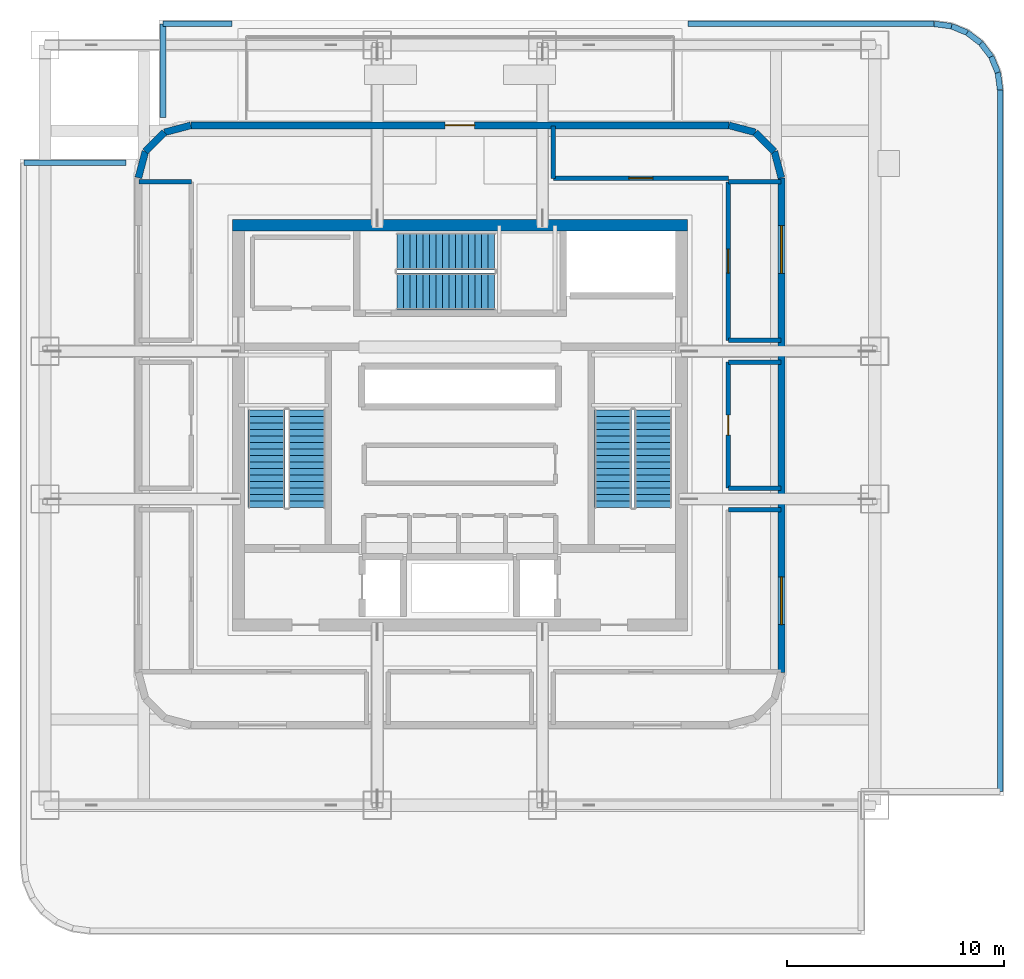
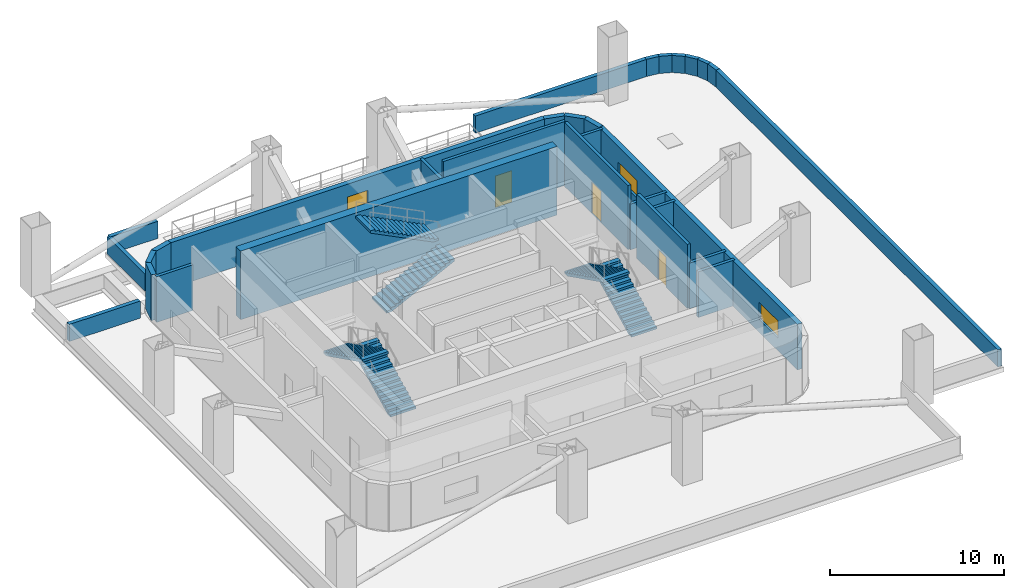
# One storey, part 7 of 11: 30 walls, 6 stair flights, 4 doors, 2 windows, 6 openings, 3 elements without a shape of their own.
"""IFC4 building model written with IfcOpenShell, lengths in metres."""

import ifcopenshell
import ifcopenshell.guid

model = None  # the IFC model being written
_history = None  # IfcOwnerHistory: only IFC2X3 demands one
_inside = {}  # id of a spatial element -> (the spatial element, [elements in it])
_under = {}  # id of a project, library or spatial element -> (it, [spatial elements below it])
_declared = {}  # id of a project -> (the project, [libraries it declares])
_typed = {}  # id of a type object -> (the type object, [elements of that type])
_made_of = {}  # id of a material, layer set ... -> (it, [elements and type objects made of it])


def new_model(schema):
    """Start an empty IFC model of exactly this schema.

    Asked for "IFC4X3", IfcOpenShell would pick the latest addendum, in which some entities
    have other attributes; the version numbers below select the first issue.
    IFC2X3 requires an IfcOwnerHistory on every rooted entity: one is made here for all.
    """
    global model, _history
    if schema == "IFC4X3":
        model = ifcopenshell.file(schema_version=(4, 3, 0, 0))
    else:
        model = ifcopenshell.file(schema=schema)
    _inside.clear()
    _under.clear()
    _declared.clear()
    _typed.clear()
    _made_of.clear()
    _history = None
    if model.schema == "IFC2X3":
        org = make("IfcOrganization", Name="unknown")
        user = make(
            "IfcPersonAndOrganization",
            ThePerson=make("IfcPerson", FamilyName="unknown"),
            TheOrganization=org,
        )
        app = make(
            "IfcApplication",
            ApplicationDeveloper=org,
            Version="unknown",
            ApplicationFullName="unknown",
            ApplicationIdentifier="unknown",
        )
        _history = make(
            "IfcOwnerHistory",
            OwningUser=user,
            OwningApplication=app,
            ChangeAction="ADDED",
            CreationDate=0,
        )
    return model


def make(cls, **values):
    """One entity of the class cls with the attributes given. An attribute that is None is left unset."""
    return model.create_entity(
        cls, **{name: value for name, value in values.items() if value is not None}
    )


def rooted(cls, **values):
    """An entity with a GlobalId (a new one), such as an element, a storey or a relation."""
    return make(cls, GlobalId=ifcopenshell.guid.new(), OwnerHistory=_history, **values)


def si_unit(unit_type, name, prefix=None):
    """IfcSIUnit, for example si_unit("LENGTHUNIT", "METRE", prefix="MILLI")."""
    return make("IfcSIUnit", UnitType=unit_type, Prefix=prefix, Name=name)


def assignment(units):
    """IfcUnitAssignment: the units of a project."""
    return None if units is None else make("IfcUnitAssignment", Units=units)


def point(xyz):
    """IfcCartesianPoint."""
    return None if xyz is None else make("IfcCartesianPoint", Coordinates=xyz)


def direction(xyz):
    """IfcDirection."""
    return None if xyz is None else make("IfcDirection", DirectionRatios=xyz)


def frame(location, z_axis=None, x_axis=None):
    """IfcAxis2Placement3D, a coordinate frame: its origin and axes. An axis left out is left unset."""
    return make(
        "IfcAxis2Placement3D",
        Location=point(location),
        Axis=direction(z_axis),
        RefDirection=direction(x_axis),
    )


def frame_2d(location, x_axis=None):
    """IfcAxis2Placement2D, a coordinate frame in the plane: its origin and x axis."""
    return make(
        "IfcAxis2Placement2D", Location=point(location), RefDirection=direction(x_axis)
    )


def origin():
    """The frame at (0, 0, 0) with its axes left unset."""
    return frame((0.0, 0.0, 0.0))


def place(relative_to, where):
    """IfcLocalPlacement: puts the frame where relative to a parent placement (None: the world)."""
    return make(
        "IfcLocalPlacement", PlacementRelTo=relative_to, RelativePlacement=where
    )


def context(
    kind, dimensions, precision=None, world=None, true_north=None, identifier=None
):
    """IfcGeometricRepresentationContext, for example the 3D "Model" context."""
    return make(
        "IfcGeometricRepresentationContext",
        ContextIdentifier=identifier,
        ContextType=kind,
        CoordinateSpaceDimension=dimensions,
        Precision=precision,
        WorldCoordinateSystem=world,
        TrueNorth=true_north,
    )


def subcontext(parent, identifier, kind, view, scale=None):
    """IfcGeometricRepresentationSubContext, for example "Body" below "Model"."""
    return make(
        "IfcGeometricRepresentationSubContext",
        ContextIdentifier=identifier,
        ContextType=kind,
        ParentContext=parent,
        TargetScale=scale,
        TargetView=view,
    )


def project(units=None, contexts=None):
    """IfcProject with its units and contexts."""
    return rooted(
        "IfcProject",
        Name="project",
        RepresentationContexts=contexts,
        UnitsInContext=assignment(units),
    )


def spatial(cls, under=None, at=None, **own):
    """A site, building, storey or space (cls), placed at a placement, below another one or the project."""
    s = rooted(cls, ObjectPlacement=at, **own)
    if under is not None:
        _under.setdefault(under.id(), (under, []))[1].append(s)
    return s


def polyline(points):
    """IfcPolyline through the points."""
    return make("IfcPolyline", Points=[point(p) for p in points])


def profile(cls, at=None, kind="AREA", **sizes):
    """A parametric profile (cls). Its sizes go by their IFC names, for example OverallWidth=200.0."""
    return make(cls, ProfileType=kind, Position=at, **sizes)


def rectangle(**sizes):
    """IfcRectangleProfileDef."""
    return profile("IfcRectangleProfileDef", **sizes)


def outline(outer, holes=None, kind="AREA"):
    """IfcArbitraryClosedProfileDef: a profile drawn as a closed curve; with holes, ...WithVoids."""
    if holes is None:
        return make("IfcArbitraryClosedProfileDef", ProfileType=kind, OuterCurve=outer)
    return make(
        "IfcArbitraryProfileDefWithVoids",
        ProfileType=kind,
        OuterCurve=outer,
        InnerCurves=holes,
    )


def extrude(swept, where, along, depth):
    """IfcExtrudedAreaSolid: the profile swept, set in the frame where, extruded along a direction by depth."""
    return make(
        "IfcExtrudedAreaSolid",
        SweptArea=swept,
        Position=where,
        ExtrudedDirection=direction(along),
        Depth=depth,
    )


def shape(context_of_items, identifier, shape_type, items):
    """IfcShapeRepresentation: the items that make up one representation, for example the "Body"."""
    return make(
        "IfcShapeRepresentation",
        ContextOfItems=context_of_items,
        RepresentationIdentifier=identifier,
        RepresentationType=shape_type,
        Items=items,
    )


def material(Name=None, Category=None):
    """IfcMaterial."""
    return make("IfcMaterial", Name=Name, Category=Category)


def layer(
    of_material, thickness, ventilated=None, Name=None, Category=None, Priority=None
):
    """IfcMaterialLayer: one layer of a wall or slab, of a material (None: an air gap)."""
    return make(
        "IfcMaterialLayer",
        Material=of_material,
        LayerThickness=thickness,
        IsVentilated=ventilated,
        Name=Name,
        Category=Category,
        Priority=Priority,
    )


def layer_set(layers, Name=None):
    """IfcMaterialLayerSet."""
    return make("IfcMaterialLayerSet", MaterialLayers=layers, LayerSetName=Name)


def made_of(thing, what):
    """Note that an element or type object is made of a material, layer set ...; save() writes the relation."""
    if what is not None:
        _made_of.setdefault(what.id(), (what, []))[1].append(thing)
    return thing


def type_object(cls, material=None, **own):
    """A type object (cls), such as IfcWallType, which elements share."""
    return made_of(rooted(cls, **own), material)


def element(
    cls,
    number,
    at=None,
    inside=None,
    cuts=None,
    type_object=None,
    material=None,
    context=None,
    identifier="Body",
    shape_type=None,
    held_by="IfcProductDefinitionShape",
    body=None,
    shapes=None,
    **own,
):
    """One element of the class cls, such as IfcWall. Its Tag is "e" and its number.

    at: its placement. inside: the storey or other place that contains it. cuts: it is an
    opening in that element (IfcRelVoidsElement). A single representation is given by context,
    identifier, shape_type and body (its items); several are given by shapes. held_by: the class
    of the entity that holds the representations. save() writes the other relations.
    """
    e = rooted(cls, Tag="e%d" % number, ObjectPlacement=at, **own)
    if body is not None:
        shapes = [shape(context, identifier, shape_type, body)]
    if shapes is not None:
        e.Representation = make(held_by, Representations=shapes)
    if inside is not None:
        _inside.setdefault(inside.id(), (inside, []))[1].append(e)
    if cuts is not None:
        rooted(
            "IfcRelVoidsElement", RelatingBuildingElement=cuts, RelatedOpeningElement=e
        )
    if type_object is not None:
        _typed.setdefault(type_object.id(), (type_object, []))[1].append(e)
    return made_of(e, material)


def fill(opening, filler):
    """IfcRelFillsElement: the door or window that sits in an opening."""
    return rooted(
        "IfcRelFillsElement",
        RelatingOpeningElement=opening,
        RelatedBuildingElement=filler,
    )


def aggregate(whole, parts):
    """IfcRelAggregates: a whole, such as a stair, and the parts it consists of."""
    return rooted("IfcRelAggregates", RelatingObject=whole, RelatedObjects=parts)


def save(model, path):
    """Write the relations noted so far, then the file.

    IfcRelAggregates (storeys below a building ...), IfcRelContainedInSpatialStructure (elements
    in a storey), IfcRelDefinesByType, IfcRelAssociatesMaterial and IfcRelDeclares: one each for
    every whole, place, type object, material and project.
    """
    for whole, parts in _under.values():
        aggregate(whole, parts)
    for where, things in _inside.values():
        rooted(
            "IfcRelContainedInSpatialStructure",
            RelatedElements=things,
            RelatingStructure=where,
        )
    for kind, things in _typed.values():
        rooted("IfcRelDefinesByType", RelatedObjects=things, RelatingType=kind)
    for what, things in _made_of.values():
        rooted("IfcRelAssociatesMaterial", RelatedObjects=things, RelatingMaterial=what)
    for by, libraries in _declared.values():
        rooted("IfcRelDeclares", RelatingContext=by, RelatedDefinitions=libraries)
    model.write(path)


model = new_model("IFC4")

# Units and contexts
model_context = context("Model", 3, precision=1e-05, world=origin(), true_north=direction((0.0, 1.0)))
body_context = subcontext(model_context, "Body", "Model", "MODEL_VIEW")
ifc_project = project(units=[si_unit("LENGTHUNIT", "METRE"), si_unit("AREAUNIT", "SQUARE_METRE"), si_unit("VOLUMEUNIT", "CUBIC_METRE"), si_unit("PLANEANGLEUNIT", "RADIAN"), si_unit("MASSUNIT", "GRAM", prefix="KILO")], contexts=[model_context])

# Site, building, storey
site_placement = place(None, origin())
site = spatial("IfcSite", under=ifc_project, at=site_placement, CompositionType="ELEMENT")
building_placement = place(site_placement, origin())
building = spatial("IfcBuilding", under=site, at=building_placement, Name="Punatoya Terracotta Tower", CompositionType="ELEMENT")
storey_placement = place(building_placement, frame((0.0, 0.0, 237.0)))
storey = spatial("IfcBuildingStorey", under=building, at=storey_placement, Name="L56", CompositionType="ELEMENT", Elevation=237.0)

# Wall
ifc_material_1 = material(Name="Concrete C50/60", Category="concrete")
ifc_layer_1 = layer(ifc_material_1, 0.550048828125)
ifc_layer_set_1 = layer_set([ifc_layer_1], Name="Concrete C50/60")
wall_type_1 = type_object("IfcWallType", Name="WL-COR-550", PredefinedType="SHEAR", material=ifc_layer_set_1)
wall_1_placement = place(storey_placement, frame((-10.47509765625, 9.199951171875, 0.0), z_axis=(0.0, 0.0, 1.0), x_axis=(1.0, 0.0, 0.0)))
element("IfcWall", 1, at=wall_1_placement, inside=storey, type_object=wall_type_1, Name="L56 Core Shear Wall N", PredefinedType="SHEAR", context=body_context, shape_type="SweptSolid", body=[
    extrude(rectangle(XDim=20.9501953125, YDim=0.550048828125, at=frame_2d((10.47509765625, 0.0))), origin(), (0.0, 0.0, 1.0), 4.800048828125),
])

# Wall, openings, windows
ifc_material_2 = material(Name="Precast concrete C40/50", Category="concrete")
ifc_layer_2 = layer(ifc_material_2, 0.320068359375)
ifc_layer_set_2 = layer_set([ifc_layer_2], Name="Precast concrete C40/50")
wall_type_2 = type_object("IfcWallType", Name="WL-EXT-320", PredefinedType="SOLIDWALL", material=ifc_layer_set_2)
wall_2_placement = place(storey_placement, frame((14.800048828125, -11.386962890625, 0.0), z_axis=(0.0, 0.0, 1.0), x_axis=(0.0, 1.0, 0.0)))
wall_2 = element("IfcWall", 2, at=wall_2_placement, inside=storey, type_object=wall_type_2, Name="L56 Terracotta Louvre Plant Enclosure E", PredefinedType="SOLIDWALL", context=body_context, shape_type="SweptSolid", body=[
    extrude(rectangle(XDim=22.77392578125, YDim=0.320068359375, at=frame_2d((11.386962890625, 0.0))), origin(), (0.0, 0.0, 1.0), 3.194091796875),
])
opening_1_placement = place(wall_2_placement, frame((2.199951171875, 0.0, 0.89990234375)))
opening_1 = element("IfcOpeningElement", 3, at=opening_1_placement, cuts=wall_2, Name="Opening WN-09", PredefinedType="OPENING", context=body_context, shape_type="SweptSolid", body=[
    extrude(rectangle(XDim=2.199951171875, YDim=1.199951171875, at=frame_2d((1.10009765625, 0.60009765625))), frame((0.0, 0.169921875, 0.0), z_axis=(0.0, -1.0, 0.0), x_axis=(1.0, 0.0, 0.0)), (0.0, 0.0, 1.0), 0.340087890625),
])
opening_2_placement = place(wall_2_placement, frame((18.373779296875, 0.0, 0.89990234375)))
opening_2 = element("IfcOpeningElement", 4, at=opening_2_placement, cuts=wall_2, Name="Opening WN-09", PredefinedType="OPENING", context=body_context, shape_type="SweptSolid", body=[
    extrude(rectangle(XDim=2.199951171875, YDim=1.199951171875, at=frame_2d((1.10009765625, 0.60009765625))), frame((0.0, 0.169921875, 0.0), z_axis=(0.0, -1.0, 0.0), x_axis=(1.0, 0.0, 0.0)), (0.0, 0.0, 1.0), 0.340087890625),
])
ifc_material_3 = material(Name="Aluminium 6063-T6 + Double Low-E Glass", Category="aluminium")
window_type = type_object("IfcWindowType", Name="WIN-CLR-2200", PartitioningType="SINGLE_PANEL", PredefinedType="WINDOW", material=ifc_material_3)
window_1_placement = place(opening_1_placement, origin())
window_1 = element("IfcWindow", 5, at=window_1_placement, inside=storey, type_object=window_type, Name="L56 Refuge Daylight Window E1", OverallHeight=1.199951171875, OverallWidth=2.199951171875, PartitioningType="SINGLE_PANEL", PredefinedType="WINDOW", context=body_context, shape_type="SweptSolid", body=[
    extrude(rectangle(XDim=2.199951171875, YDim=1.199951171875, at=frame_2d((1.10009765625, 0.60009765625))), frame((0.0, 0.030029296875, 0.0), z_axis=(0.0, -1.0, 0.0), x_axis=(1.0, 0.0, 0.0)), (0.0, 0.0, 1.0), 0.06005859375),
])
fill(opening_1, window_1)
window_2_placement = place(opening_2_placement, origin())
window_2 = element("IfcWindow", 6, at=window_2_placement, inside=storey, type_object=window_type, Name="L56 Refuge Daylight Window E2", OverallHeight=1.199951171875, OverallWidth=2.199951171875, PartitioningType="SINGLE_PANEL", PredefinedType="WINDOW", context=body_context, shape_type="SweptSolid", body=[
    extrude(rectangle(XDim=2.199951171875, YDim=1.199951171875, at=frame_2d((1.10009765625, 0.60009765625))), frame((0.0, 0.030029296875, 0.0), z_axis=(0.0, -1.0, 0.0), x_axis=(1.0, 0.0, 0.0)), (0.0, 0.0, 1.0), 0.06005859375),
])
fill(opening_2, window_2)

# Walls
wall_3_placement = place(storey_placement, frame((14.800048828125, 11.386962890625, 0.0), z_axis=(0.0, 0.0, 1.0), x_axis=(-0.25748094776, 0.966283375382, 0.0)))
element("IfcWall", 7, at=wall_3_placement, inside=storey, type_object=wall_type_2, Name="L56 Rounded Terracotta Corner Pier 06", PredefinedType="SOLIDWALL", context=body_context, shape_type="SweptSolid", body=[
    extrude(rectangle(XDim=1.25439453125, YDim=0.320068359375, at=frame_2d((0.627197265625, 0.0))), origin(), (0.0, 0.0, 1.0), 3.194091796875),
])
wall_4_placement = place(storey_placement, frame((14.47705078125, 12.59912109375, 0.0), z_axis=(0.0, 0.0, 1.0), x_axis=(-0.707106781187, 0.707106781187, 0.0)))
element("IfcWall", 8, at=wall_4_placement, inside=storey, type_object=wall_type_2, Name="L56 Rounded Terracotta Corner Pier 07", PredefinedType="SOLIDWALL", context=body_context, shape_type="SweptSolid", body=[
    extrude(rectangle(XDim=1.24169921875, YDim=0.320068359375, at=frame_2d((0.620849609375, 0.0))), origin(), (0.0, 0.0, 1.0), 3.194091796875),
])
wall_5_placement = place(storey_placement, frame((13.59912109375, 13.47705078125, 0.0), z_axis=(0.0, 0.0, 1.0), x_axis=(-0.966283375382, 0.25748094776, 0.0)))
element("IfcWall", 9, at=wall_5_placement, inside=storey, type_object=wall_type_2, Name="L56 Rounded Terracotta Corner Pier 08", PredefinedType="SOLIDWALL", context=body_context, shape_type="SweptSolid", body=[
    extrude(rectangle(XDim=1.25439453125, YDim=0.320068359375, at=frame_2d((0.627197265625, 0.0))), origin(), (0.0, 0.0, 1.0), 3.194091796875),
])

# Wall, opening, door
wall_6_placement = place(storey_placement, frame((12.386962890625, 13.800048828125, 0.0), z_axis=(0.0, 0.0, 1.0), x_axis=(-1.0, 0.0, 0.0)))
wall_6 = element("IfcWall", 10, at=wall_6_placement, inside=storey, type_object=wall_type_2, Name="L56 Terracotta Louvre Plant Enclosure N", PredefinedType="SOLIDWALL", context=body_context, shape_type="SweptSolid", body=[
    extrude(rectangle(XDim=24.77392578125, YDim=0.320068359375, at=frame_2d((12.386962890625, 0.0))), origin(), (0.0, 0.0, 1.0), 3.194091796875),
])
opening_3_placement = place(wall_6_placement, frame((11.7119140625, 0.0, 0.0)))
opening_3 = element("IfcOpeningElement", 11, at=opening_3_placement, cuts=wall_6, Name="Opening TD-02", PredefinedType="OPENING", context=body_context, shape_type="SweptSolid", body=[
    extrude(rectangle(XDim=1.35009765625, YDim=2.300048828125, at=frame_2d((0.675048828125, 1.14990234375))), frame((0.0, 0.169921875, 0.0), z_axis=(0.0, -1.0, 0.0), x_axis=(1.0, 0.0, 0.0)), (0.0, 0.0, 1.0), 0.340087890625),
])
ifc_material_4 = material(Name="Aluminium 6063-T6 + Low-E Glass", Category="aluminium")
door_type_1 = type_object("IfcDoorType", Name="DR-TER-1350", OperationType="NOTDEFINED", PredefinedType="DOOR", material=ifc_material_4)
door_1_placement = place(opening_3_placement, origin())
door_1 = element("IfcDoor", 12, at=door_1_placement, inside=storey, type_object=door_type_1, Name="L56 Sky-Garden Terrace Access Door N", OperationType="SINGLE_SWING_LEFT", OverallHeight=2.300048828125, OverallWidth=1.35009765625, PredefinedType="DOOR", context=body_context, shape_type="SweptSolid", body=[
    extrude(rectangle(XDim=1.35009765625, YDim=2.300048828125, at=frame_2d((0.675048828125, 1.14990234375))), frame((0.0, 0.02490234375, 0.0), z_axis=(0.0, -1.0, 0.0), x_axis=(1.0, 0.0, 0.0)), (0.0, 0.0, 1.0), 0.050048828125),
])
fill(opening_3, door_1)

# Walls
wall_7_placement = place(storey_placement, frame((-12.386962890625, 13.800048828125, 0.0), z_axis=(0.0, 0.0, 1.0), x_axis=(-0.966283375382, -0.25748094776, 0.0)))
element("IfcWall", 13, at=wall_7_placement, inside=storey, type_object=wall_type_2, Name="L56 Rounded Terracotta Corner Pier 10", PredefinedType="SOLIDWALL", context=body_context, shape_type="SweptSolid", body=[
    extrude(rectangle(XDim=1.25439453125, YDim=0.320068359375, at=frame_2d((0.627197265625, 0.0))), origin(), (0.0, 0.0, 1.0), 3.194091796875),
])
wall_8_placement = place(storey_placement, frame((-13.59912109375, 13.47705078125, 0.0), z_axis=(0.0, 0.0, 1.0), x_axis=(-0.707106781187, -0.707106781187, 0.0)))
element("IfcWall", 14, at=wall_8_placement, inside=storey, type_object=wall_type_2, Name="L56 Rounded Terracotta Corner Pier 11", PredefinedType="SOLIDWALL", context=body_context, shape_type="SweptSolid", body=[
    extrude(rectangle(XDim=1.24169921875, YDim=0.320068359375, at=frame_2d((0.620849609375, 0.0))), origin(), (0.0, 0.0, 1.0), 3.194091796875),
])
wall_9_placement = place(storey_placement, frame((-14.47705078125, 12.59912109375, 0.0), z_axis=(0.0, 0.0, 1.0), x_axis=(-0.25748094776, -0.966283375382, 0.0)))
element("IfcWall", 15, at=wall_9_placement, inside=storey, type_object=wall_type_2, Name="L56 Rounded Terracotta Corner Pier 12", PredefinedType="SOLIDWALL", context=body_context, shape_type="SweptSolid", body=[
    extrude(rectangle(XDim=1.25439453125, YDim=0.320068359375, at=frame_2d((0.627197265625, 0.0))), origin(), (0.0, 0.0, 1.0), 3.194091796875),
])
ifc_material_5 = material(Name="Concrete C40/50", Category="concrete")
ifc_layer_3 = layer(ifc_material_5, 0.199951171875)
ifc_layer_set_3 = layer_set([ifc_layer_3], Name="Concrete C40/50")
wall_type_3 = type_object("IfcWallType", Name="WL-INT-200", PredefinedType="SOLIDWALL", material=ifc_layer_set_3)
for number, where, z_axis, x_axis, name in (
    (16, (-14.780029296875, 11.199951171875, 0.0), (0.0, 0.0, 1.0), (1.0, 0.0, 0.0), "L56 West Outrigger Truss & Smoke-Extract Plant Room (North Bay) Partition 32"),
    (17, (12.360107421875, -3.89990234375, 0.0), (0.0, 0.0, 1.0), (1.0, 0.0, 0.0), "L56 East Outrigger Truss & Heat-Exchanger Plant Room (South Bay) Partition 34"),
    (18, (14.780029296875, -2.89990234375, 0.0), (0.0, 0.0, 1.0), (-1.0, 0.0, 0.0), "L56 East Outrigger Truss & Heat-Exchanger Plant Room (Central Bay) Partition 36"),
):
    element("IfcWall", number, at=place(storey_placement, frame(where, z_axis=z_axis, x_axis=x_axis)), inside=storey, type_object=wall_type_3, Name=name, PredefinedType="SOLIDWALL", context=body_context, shape_type="SweptSolid", body=[
        extrude(rectangle(XDim=2.419921875, YDim=0.199951171875, at=frame_2d((1.2099609375, 0.0))), origin(), (0.0, 0.0, 1.0), 3.194091796875),
    ])

# Wall, opening, door
wall_10_placement = place(storey_placement, frame((12.360107421875, -2.89990234375, 0.0), z_axis=(0.0, 0.0, 1.0), x_axis=(0.0, 1.0, 0.0)))
wall_10 = element("IfcWall", 19, at=wall_10_placement, inside=storey, type_object=wall_type_3, Name="L56 East Outrigger Truss & Heat-Exchanger Plant Room (Central Bay) Partition 37", PredefinedType="SOLIDWALL", context=body_context, shape_type="SweptSolid", body=[
    extrude(rectangle(XDim=5.7998046875, YDim=0.199951171875, at=frame_2d((2.89990234375, 0.0))), origin(), (0.0, 0.0, 1.0), 4.47998046875),
])
opening_4_placement = place(wall_10_placement, frame((2.43994140625, 0.0, 0.0)))
opening_4 = element("IfcOpeningElement", 20, at=opening_4_placement, cuts=wall_10, Name="Opening FD-R1", PredefinedType="OPENING", context=body_context, shape_type="SweptSolid", body=[
    extrude(rectangle(XDim=0.919921875, YDim=2.10009765625, at=frame_2d((0.4599609375, 1.050048828125))), frame((0.0, 0.10986328125, 0.0), z_axis=(0.0, -1.0, 0.0), x_axis=(1.0, 0.0, 0.0)), (0.0, 0.0, 1.0), 0.219970703125),
])
ifc_material_6 = material(Name="Galvanised Steel Riser Fire Access Door", Category="steel")
door_type_2 = type_object("IfcDoorType", Name="DR-RSR-920", OperationType="NOTDEFINED", PredefinedType="DOOR", material=ifc_material_6)
door_2_placement = place(opening_4_placement, origin())
door_2 = element("IfcDoor", 21, at=door_2_placement, inside=storey, type_object=door_type_2, Name="L56 East Outrigger Truss & Heat-Exchanger Plant Room (Central Bay) Fire Door", OperationType="SINGLE_SWING_RIGHT", OverallHeight=2.10009765625, OverallWidth=0.919921875, PredefinedType="DOOR", context=body_context, shape_type="SweptSolid", body=[
    extrude(rectangle(XDim=0.919921875, YDim=2.10009765625, at=frame_2d((0.4599609375, 1.050048828125))), frame((0.0, 0.02490234375, 0.0), z_axis=(0.0, -1.0, 0.0), x_axis=(1.0, 0.0, 0.0)), (0.0, 0.0, 1.0), 0.050048828125),
])
fill(opening_4, door_2)

# Walls
for number, where, z_axis, x_axis, name in (
    (22, (12.360107421875, 2.89990234375, 0.0), (0.0, 0.0, 1.0), (1.0, 0.0, 0.0), "L56 East Outrigger Truss & Heat-Exchanger Plant Room (Central Bay) Partition 38"),
    (23, (14.780029296875, 3.89990234375, 0.0), (0.0, 0.0, 1.0), (-1.0, 0.0, 0.0), "L56 East Outrigger Truss & Heat-Exchanger Plant Room (North Bay) Partition 39"),
):
    element("IfcWall", number, at=place(storey_placement, frame(where, z_axis=z_axis, x_axis=x_axis)), inside=storey, type_object=wall_type_3, Name=name, PredefinedType="SOLIDWALL", context=body_context, shape_type="SweptSolid", body=[
        extrude(rectangle(XDim=2.419921875, YDim=0.199951171875, at=frame_2d((1.2099609375, 0.0))), origin(), (0.0, 0.0, 1.0), 3.194091796875),
    ])

# Wall, opening, door
wall_11_placement = place(storey_placement, frame((12.360107421875, 3.89990234375, 0.0), z_axis=(0.0, 0.0, 1.0), x_axis=(0.0, 1.0, 0.0)))
wall_11 = element("IfcWall", 24, at=wall_11_placement, inside=storey, type_object=wall_type_3, Name="L56 East Outrigger Truss & Heat-Exchanger Plant Room (North Bay) Partition 40", PredefinedType="SOLIDWALL", context=body_context, shape_type="SweptSolid", body=[
    extrude(rectangle(XDim=7.300048828125, YDim=0.199951171875, at=frame_2d((3.64990234375, 0.0))), origin(), (0.0, 0.0, 1.0), 4.47998046875),
])
opening_5_placement = place(wall_11_placement, frame((3.10009765625, 0.0, 0.0)))
opening_5 = element("IfcOpeningElement", 25, at=opening_5_placement, cuts=wall_11, Name="Opening FD-P1", PredefinedType="OPENING", context=body_context, shape_type="SweptSolid", body=[
    extrude(rectangle(XDim=1.10009765625, YDim=2.199951171875, at=frame_2d((0.550048828125, 1.10009765625))), frame((0.0, 0.10986328125, 0.0), z_axis=(0.0, -1.0, 0.0), x_axis=(1.0, 0.0, 0.0)), (0.0, 0.0, 1.0), 0.219970703125),
])
ifc_material_7 = material(Name="Galvanised Steel Plant Fire Door", Category="steel")
door_type_3 = type_object("IfcDoorType", Name="DR-PLT-1100", OperationType="NOTDEFINED", PredefinedType="DOOR", material=ifc_material_7)
door_3_placement = place(opening_5_placement, origin())
door_3 = element("IfcDoor", 26, at=door_3_placement, inside=storey, type_object=door_type_3, Name="L56 East Outrigger Truss & Heat-Exchanger Plant Room (North Bay) Fire Door", OperationType="SINGLE_SWING_LEFT", OverallHeight=2.199951171875, OverallWidth=1.10009765625, PredefinedType="DOOR", context=body_context, shape_type="SweptSolid", body=[
    extrude(rectangle(XDim=1.10009765625, YDim=2.199951171875, at=frame_2d((0.550048828125, 1.10009765625))), frame((0.0, 0.02490234375, 0.0), z_axis=(0.0, -1.0, 0.0), x_axis=(1.0, 0.0, 0.0)), (0.0, 0.0, 1.0), 0.050048828125),
])
fill(opening_5, door_3)

# Walls
for number, where, z_axis, x_axis, name in (
    (27, (12.360107421875, 11.199951171875, 0.0), (0.0, 0.0, 1.0), (1.0, 0.0, 0.0), "L56 East Outrigger Truss & Heat-Exchanger Plant Room (North Bay) Partition 41"),
    (28, (4.300048828125, 11.360107421875, 0.0), (0.0, 0.0, 1.0), (0.0, 1.0, 0.0), "L56 North Electrical Transformer Plant Room Partition 42"),
):
    element("IfcWall", number, at=place(storey_placement, frame(where, z_axis=z_axis, x_axis=x_axis)), inside=storey, type_object=wall_type_3, Name=name, PredefinedType="SOLIDWALL", context=body_context, shape_type="SweptSolid", body=[
        extrude(rectangle(XDim=2.419921875, YDim=0.199951171875, at=frame_2d((1.2099609375, 0.0))), origin(), (0.0, 0.0, 1.0), 3.194091796875),
    ])

# Wall, opening, door
wall_12_placement = place(storey_placement, frame((12.360107421875, 11.360107421875, 0.0), z_axis=(0.0, 0.0, 1.0), x_axis=(-1.0, 0.0, 0.0)))
wall_12 = element("IfcWall", 29, at=wall_12_placement, inside=storey, type_object=wall_type_3, Name="L56 North Electrical Transformer Plant Room Partition 43", PredefinedType="SOLIDWALL", context=body_context, shape_type="SweptSolid", body=[
    extrude(rectangle(XDim=8.06005859375, YDim=0.199951171875, at=frame_2d((4.030029296875, 0.0))), origin(), (0.0, 0.0, 1.0), 4.47998046875),
])
opening_6_placement = place(wall_12_placement, frame((3.47998046875, 0.0, 0.0)))
opening_6 = element("IfcOpeningElement", 30, at=opening_6_placement, cuts=wall_12, Name="Opening FD-P1", PredefinedType="OPENING", context=body_context, shape_type="SweptSolid", body=[
    extrude(rectangle(XDim=1.10009765625, YDim=2.199951171875, at=frame_2d((0.550048828125, 1.10009765625))), frame((0.0, 0.10986328125, 0.0), z_axis=(0.0, -1.0, 0.0), x_axis=(1.0, 0.0, 0.0)), (0.0, 0.0, 1.0), 0.219970703125),
])
door_4_placement = place(opening_6_placement, origin())
door_4 = element("IfcDoor", 31, at=door_4_placement, inside=storey, type_object=door_type_3, Name="L56 North Electrical Transformer Plant Room Fire Door", OperationType="SINGLE_SWING_RIGHT", OverallHeight=2.199951171875, OverallWidth=1.10009765625, PredefinedType="DOOR", context=body_context, shape_type="SweptSolid", body=[
    extrude(rectangle(XDim=1.10009765625, YDim=2.199951171875, at=frame_2d((0.550048828125, 1.10009765625))), frame((0.0, 0.02490234375, 0.0), z_axis=(0.0, -1.0, 0.0), x_axis=(1.0, 0.0, 0.0)), (0.0, 0.0, 1.0), 0.050048828125),
])
fill(opening_6, door_4)

# Walls
ifc_layer_4 = layer(ifc_material_2, 0.260009765625)
ifc_layer_set_4 = layer_set([ifc_layer_4], Name="Precast concrete C40/50")
wall_type_4 = type_object("IfcWallType", Name="WL-PAR-260", PredefinedType="PARAPET", material=ifc_layer_set_4)
wall_13_placement = place(storey_placement, frame((24.8701171875, -16.8701171875, 0.0), z_axis=(0.0, 0.0, 1.0), x_axis=(0.0, 1.0, 0.0)))
element("IfcWall", 32, at=wall_13_placement, inside=storey, type_object=wall_type_4, Name="L56 Roof Parapet Wall PAR-L56-RF-03", PredefinedType="PARAPET", context=body_context, shape_type="SweptSolid", body=[
    extrude(rectangle(XDim=32.308349609375, YDim=0.260009765625, at=frame_2d((16.154296875, 0.0))), origin(), (0.0, 0.0, 1.0), 1.199951171875),
])
wall_14_placement = place(storey_placement, frame((24.8701171875, 15.438232421875, 0.0), z_axis=(0.0, 0.0, 1.0), x_axis=(-0.130644014367, 0.991429342672, 0.0)))
element("IfcWall", 33, at=wall_14_placement, inside=storey, type_object=wall_type_4, Name="L56 Roof Parapet Wall PAR-L56-RF-04", PredefinedType="PARAPET", context=body_context, shape_type="SweptSolid", body=[
    extrude(rectangle(XDim=0.7998046875, YDim=0.260009765625, at=frame_2d((0.39990234375, 0.0))), origin(), (0.0, 0.0, 1.0), 1.199951171875),
])
wall_15_placement = place(storey_placement, frame((24.765625, 16.231201171875, 0.0), z_axis=(0.0, 0.0, 1.0), x_axis=(-0.38263454961, 0.923899778896, 0.0)))
element("IfcWall", 34, at=wall_15_placement, inside=storey, type_object=wall_type_4, Name="L56 Roof Parapet Wall PAR-L56-RF-05", PredefinedType="PARAPET", context=body_context, shape_type="SweptSolid", body=[
    extrude(rectangle(XDim=0.7880859375, YDim=0.260009765625, at=frame_2d((0.39404296875, 0.0))), origin(), (0.0, 0.0, 1.0), 1.199951171875),
])
wall_16_placement = place(storey_placement, frame((24.464111328125, 16.959228515625, 0.0), z_axis=(0.0, 0.0, 1.0), x_axis=(-0.608886809997, 0.793257116332, 0.0)))
element("IfcWall", 35, at=wall_16_placement, inside=storey, type_object=wall_type_4, Name="L56 Roof Parapet Wall PAR-L56-RF-06", PredefinedType="PARAPET", context=body_context, shape_type="SweptSolid", body=[
    extrude(rectangle(XDim=0.787841796875, YDim=0.260009765625, at=frame_2d((0.39404296875, 0.0))), origin(), (0.0, 0.0, 1.0), 1.199951171875),
])
wall_17_placement = place(storey_placement, frame((23.984375, 17.584228515625, 0.0), z_axis=(0.0, 0.0, 1.0), x_axis=(-0.793222344381, 0.608932108182, 0.0)))
element("IfcWall", 36, at=wall_17_placement, inside=storey, type_object=wall_type_4, Name="L56 Roof Parapet Wall PAR-L56-RF-07", PredefinedType="PARAPET", context=body_context, shape_type="SweptSolid", body=[
    extrude(rectangle(XDim=0.788330078125, YDim=0.260009765625, at=frame_2d((0.39404296875, 0.0))), origin(), (0.0, 0.0, 1.0), 1.199951171875),
])
wall_18_placement = place(storey_placement, frame((23.359130859375, 18.064208984375, 0.0), z_axis=(0.0, 0.0, 1.0), x_axis=(-0.924009282298, 0.382370038349, 0.0)))
element("IfcWall", 37, at=wall_18_placement, inside=storey, type_object=wall_type_4, Name="L56 Roof Parapet Wall PAR-L56-RF-08", PredefinedType="PARAPET", context=body_context, shape_type="SweptSolid", body=[
    extrude(rectangle(XDim=0.787841796875, YDim=0.260009765625, at=frame_2d((0.39404296875, 0.0))), origin(), (0.0, 0.0, 1.0), 1.199951171875),
])
wall_19_placement = place(storey_placement, frame((22.631103515625, 18.365478515625, 0.0), z_axis=(0.0, 0.0, 1.0), x_axis=(-0.991429342672, 0.130644014367, 0.0)))
element("IfcWall", 38, at=wall_19_placement, inside=storey, type_object=wall_type_4, Name="L56 Roof Parapet Wall PAR-L56-RF-09", PredefinedType="PARAPET", context=body_context, shape_type="SweptSolid", body=[
    extrude(rectangle(XDim=0.7998046875, YDim=0.260009765625, at=frame_2d((0.39990234375, 0.0))), origin(), (0.0, 0.0, 1.0), 1.199951171875),
])
wall_20_placement = place(storey_placement, frame((21.838134765625, 18.469970703125, 0.0), z_axis=(0.0, 0.0, 1.0), x_axis=(-1.0, 0.0, 0.0)))
element("IfcWall", 39, at=wall_20_placement, inside=storey, type_object=wall_type_4, Name="L56 Roof Parapet Wall PAR-L56-RF-10", PredefinedType="PARAPET", context=body_context, shape_type="SweptSolid", body=[
    extrude(rectangle(XDim=11.338134765625, YDim=0.260009765625, at=frame_2d((5.6689453125, 0.0))), origin(), (0.0, 0.0, 1.0), 1.199951171875),
])
wall_21_placement = place(storey_placement, frame((-10.5, 18.469970703125, 0.0), z_axis=(0.0, 0.0, 1.0), x_axis=(-1.0, 0.0, 0.0)))
element("IfcWall", 40, at=wall_21_placement, inside=storey, type_object=wall_type_4, Name="L56 Roof Parapet Wall PAR-L56-RF-11", PredefinedType="PARAPET", context=body_context, shape_type="SweptSolid", body=[
    extrude(rectangle(XDim=3.169921875, YDim=0.260009765625, at=frame_2d((1.5849609375, 0.0))), origin(), (0.0, 0.0, 1.0), 1.199951171875),
])
wall_22_placement = place(storey_placement, frame((-13.669921875, 18.469970703125, 0.0), z_axis=(0.0, 0.0, 1.0), x_axis=(0.0, -1.0, 0.0)))
element("IfcWall", 41, at=wall_22_placement, inside=storey, type_object=wall_type_4, Name="L56 Roof Parapet Wall PAR-L56-RF-12", PredefinedType="PARAPET", context=body_context, shape_type="SweptSolid", body=[
    extrude(rectangle(XDim=4.31884765625, YDim=0.260009765625, at=frame_2d((2.159423828125, 0.0))), origin(), (0.0, 0.0, 1.0), 1.199951171875),
])
wall_23_placement = place(storey_placement, frame((-15.36572265625, 12.070068359375, 0.0), z_axis=(0.0, 0.0, 1.0), x_axis=(-1.0, 0.0, 0.0)))
element("IfcWall", 42, at=wall_23_placement, inside=storey, type_object=wall_type_4, Name="L56 Roof Parapet Wall PAR-L56-RF-13", PredefinedType="PARAPET", context=body_context, shape_type="SweptSolid", body=[
    extrude(rectangle(XDim=4.704345703125, YDim=0.260009765625, at=frame_2d((2.35205078125, 0.0))), origin(), (0.0, 0.0, 1.0), 1.199951171875),
])

# Stair, stair flights
stair_type_1 = type_object("IfcStairType", Name="STR-CORE-1550", PredefinedType="HALF_TURN_STAIR", material=ifc_material_5)
stair_1_placement = place(storey_placement, origin())
stair_1 = element("IfcStair", 43, at=stair_1_placement, inside=storey, type_object=stair_type_1, Name="L56 Protected Core Exit Stair ST-1", PredefinedType="HALF_TURN_STAIR")
stair_flight_type_1 = type_object("IfcStairFlightType", Name="SFL-CORE-1550", PredefinedType="STRAIGHT", material=ifc_material_5)
stair_flight_1_placement = place(storey_placement, frame((-7.050048828125, -3.800048828125, 0.0), z_axis=(0.0, 0.0, 1.0), x_axis=(0.0, 1.0, 0.0)))
stair_flight_1 = element("IfcStairFlight", 44, at=stair_flight_1_placement, type_object=stair_flight_type_1, Name="ST-1 flight 1", NumberOfRisers=16, NumberOfTreads=15, PredefinedType="STRAIGHT", RiserHeight=0.15, TreadLength=0.3, context=body_context, shape_type="SweptSolid", body=[
    extrude(outline(polyline([(0.0, 0.0), (0.0, 0.14990234375), (0.300048828125, 0.14990234375), (0.300048828125, 0.300048828125), (0.60009765625, 0.300048828125), (0.60009765625, 0.449951171875), (0.89990234375, 0.449951171875), (0.89990234375, 0.60009765625), (1.199951171875, 0.60009765625), (1.199951171875, 0.75), (1.5, 0.75), (1.5, 0.89990234375), (1.800048828125, 0.89990234375), (1.800048828125, 1.050048828125), (2.10009765625, 1.050048828125), (2.10009765625, 1.199951171875), (2.39990234375, 1.199951171875), (2.39990234375, 1.35009765625), (2.699951171875, 1.35009765625), (2.699951171875, 1.5), (3.0, 1.5), (3.0, 1.64990234375), (3.300048828125, 1.64990234375), (3.300048828125, 1.800048828125), (3.60009765625, 1.800048828125), (3.60009765625, 1.949951171875), (3.89990234375, 1.949951171875), (3.89990234375, 2.10009765625), (4.199951171875, 2.10009765625), (4.199951171875, 2.25), (4.5, 2.25), (4.5, 2.39990234375), (4.5, 2.08251953125), (0.335205078125, 0.0), (0.0, 0.0)])), frame((0.0, 0.85009765625, 0.0), z_axis=(0.0, -1.0, 0.0), x_axis=(1.0, 0.0, 0.0)), (0.0, 0.0, 1.0), 1.699951171875),
])
stair_flight_2_placement = place(storey_placement, frame((-8.89990234375, 0.699951171875, 2.39990234375), z_axis=(0.0, 0.0, 1.0), x_axis=(0.0, -1.0, 0.0)))
stair_flight_2 = element("IfcStairFlight", 45, at=stair_flight_2_placement, type_object=stair_flight_type_1, Name="ST-1 flight 2", NumberOfRisers=16, NumberOfTreads=15, PredefinedType="STRAIGHT", RiserHeight=0.15, TreadLength=0.3, context=body_context, shape_type="SweptSolid", body=[
    extrude(outline(polyline([(0.0, 0.0), (0.0, 0.14990234375), (0.300048828125, 0.14990234375), (0.300048828125, 0.300048828125), (0.60009765625, 0.300048828125), (0.60009765625, 0.449951171875), (0.89990234375, 0.449951171875), (0.89990234375, 0.60009765625), (1.199951171875, 0.60009765625), (1.199951171875, 0.75), (1.5, 0.75), (1.5, 0.89990234375), (1.800048828125, 0.89990234375), (1.800048828125, 1.050048828125), (2.10009765625, 1.050048828125), (2.10009765625, 1.199951171875), (2.39990234375, 1.199951171875), (2.39990234375, 1.35009765625), (2.699951171875, 1.35009765625), (2.699951171875, 1.5), (3.0, 1.5), (3.0, 1.64990234375), (3.300048828125, 1.64990234375), (3.300048828125, 1.800048828125), (3.60009765625, 1.800048828125), (3.60009765625, 1.949951171875), (3.89990234375, 1.949951171875), (3.89990234375, 2.10009765625), (4.199951171875, 2.10009765625), (4.199951171875, 2.25), (4.5, 2.25), (4.5, 2.39990234375), (4.5, 2.08251953125), (0.335205078125, 0.0), (0.0, 0.0)])), frame((0.0, 0.85009765625, 0.0), z_axis=(0.0, -1.0, 0.0), x_axis=(1.0, 0.0, 0.0)), (0.0, 0.0, 1.0), 1.699951171875),
])
aggregate(stair_1, [stair_flight_1, stair_flight_2])

stair_type_2 = type_object("IfcStairType", Name="STR-LOB-1650", PredefinedType="HALF_TURN_STAIR", material=ifc_material_5)
stair_2_placement = place(storey_placement, origin())
stair_2 = element("IfcStair", 46, at=stair_2_placement, inside=storey, type_object=stair_type_2, Name="L56 Protected Core Exit Stair ST-2", PredefinedType="HALF_TURN_STAIR")
stair_flight_type_2 = type_object("IfcStairFlightType", Name="SFL-LOB-1650", PredefinedType="STRAIGHT", material=ifc_material_5)
stair_flight_3_placement = place(storey_placement, frame((8.89990234375, -3.800048828125, 0.0), z_axis=(0.0, 0.0, 1.0), x_axis=(0.0, 1.0, 0.0)))
stair_flight_3 = element("IfcStairFlight", 47, at=stair_flight_3_placement, type_object=stair_flight_type_2, Name="ST-2 flight 1", NumberOfRisers=16, NumberOfTreads=15, PredefinedType="STRAIGHT", RiserHeight=0.15, TreadLength=0.3, context=body_context, shape_type="SweptSolid", body=[
    extrude(outline(polyline([(0.0, 0.0), (0.0, 0.14990234375), (0.300048828125, 0.14990234375), (0.300048828125, 0.300048828125), (0.60009765625, 0.300048828125), (0.60009765625, 0.449951171875), (0.89990234375, 0.449951171875), (0.89990234375, 0.60009765625), (1.199951171875, 0.60009765625), (1.199951171875, 0.75), (1.5, 0.75), (1.5, 0.89990234375), (1.800048828125, 0.89990234375), (1.800048828125, 1.050048828125), (2.10009765625, 1.050048828125), (2.10009765625, 1.199951171875), (2.39990234375, 1.199951171875), (2.39990234375, 1.35009765625), (2.699951171875, 1.35009765625), (2.699951171875, 1.5), (3.0, 1.5), (3.0, 1.64990234375), (3.300048828125, 1.64990234375), (3.300048828125, 1.800048828125), (3.60009765625, 1.800048828125), (3.60009765625, 1.949951171875), (3.89990234375, 1.949951171875), (3.89990234375, 2.10009765625), (4.199951171875, 2.10009765625), (4.199951171875, 2.25), (4.5, 2.25), (4.5, 2.39990234375), (4.5, 2.08251953125), (0.335205078125, 0.0), (0.0, 0.0)])), frame((0.0, 0.85009765625, 0.0), z_axis=(0.0, -1.0, 0.0), x_axis=(1.0, 0.0, 0.0)), (0.0, 0.0, 1.0), 1.699951171875),
])
stair_flight_4_placement = place(storey_placement, frame((7.050048828125, 0.699951171875, 2.39990234375), z_axis=(0.0, 0.0, 1.0), x_axis=(0.0, -1.0, 0.0)))
stair_flight_4 = element("IfcStairFlight", 48, at=stair_flight_4_placement, type_object=stair_flight_type_2, Name="ST-2 flight 2", NumberOfRisers=16, NumberOfTreads=15, PredefinedType="STRAIGHT", RiserHeight=0.15, TreadLength=0.3, context=body_context, shape_type="SweptSolid", body=[
    extrude(outline(polyline([(0.0, 0.0), (0.0, 0.14990234375), (0.300048828125, 0.14990234375), (0.300048828125, 0.300048828125), (0.60009765625, 0.300048828125), (0.60009765625, 0.449951171875), (0.89990234375, 0.449951171875), (0.89990234375, 0.60009765625), (1.199951171875, 0.60009765625), (1.199951171875, 0.75), (1.5, 0.75), (1.5, 0.89990234375), (1.800048828125, 0.89990234375), (1.800048828125, 1.050048828125), (2.10009765625, 1.050048828125), (2.10009765625, 1.199951171875), (2.39990234375, 1.199951171875), (2.39990234375, 1.35009765625), (2.699951171875, 1.35009765625), (2.699951171875, 1.5), (3.0, 1.5), (3.0, 1.64990234375), (3.300048828125, 1.64990234375), (3.300048828125, 1.800048828125), (3.60009765625, 1.800048828125), (3.60009765625, 1.949951171875), (3.89990234375, 1.949951171875), (3.89990234375, 2.10009765625), (4.199951171875, 2.10009765625), (4.199951171875, 2.25), (4.5, 2.25), (4.5, 2.39990234375), (4.5, 2.08251953125), (0.335205078125, 0.0), (0.0, 0.0)])), frame((0.0, 0.85009765625, 0.0), z_axis=(0.0, -1.0, 0.0), x_axis=(1.0, 0.0, 0.0)), (0.0, 0.0, 1.0), 1.699951171875),
])
aggregate(stair_2, [stair_flight_3, stair_flight_4])

stair_type_3 = type_object("IfcStairType", Name="STR-TER-1450", PredefinedType="HALF_TURN_STAIR", material=ifc_material_5)
stair_3_placement = place(storey_placement, origin())
stair_3 = element("IfcStair", 49, at=stair_3_placement, inside=storey, type_object=stair_type_3, Name="L56 Protected Core Exit Stair ST-3", PredefinedType="HALF_TURN_STAIR")
stair_flight_type_3 = type_object("IfcStairFlightType", Name="SFL-TER-1450", PredefinedType="STRAIGHT", material=ifc_material_5)
stair_flight_5_placement = place(storey_placement, frame((-2.89990234375, 6.14990234375, 0.0), z_axis=(0.0, 0.0, 1.0), x_axis=(1.0, 0.0, 0.0)))
stair_flight_5 = element("IfcStairFlight", 50, at=stair_flight_5_placement, type_object=stair_flight_type_3, Name="ST-3 flight 1", NumberOfRisers=16, NumberOfTreads=15, PredefinedType="STRAIGHT", RiserHeight=0.15, TreadLength=0.3, context=body_context, shape_type="SweptSolid", body=[
    extrude(outline(polyline([(0.0, 0.0), (0.0, 0.14990234375), (0.300048828125, 0.14990234375), (0.300048828125, 0.300048828125), (0.60009765625, 0.300048828125), (0.60009765625, 0.449951171875), (0.89990234375, 0.449951171875), (0.89990234375, 0.60009765625), (1.199951171875, 0.60009765625), (1.199951171875, 0.75), (1.5, 0.75), (1.5, 0.89990234375), (1.800048828125, 0.89990234375), (1.800048828125, 1.050048828125), (2.10009765625, 1.050048828125), (2.10009765625, 1.199951171875), (2.39990234375, 1.199951171875), (2.39990234375, 1.35009765625), (2.699951171875, 1.35009765625), (2.699951171875, 1.5), (3.0, 1.5), (3.0, 1.64990234375), (3.300048828125, 1.64990234375), (3.300048828125, 1.800048828125), (3.60009765625, 1.800048828125), (3.60009765625, 1.949951171875), (3.89990234375, 1.949951171875), (3.89990234375, 2.10009765625), (4.199951171875, 2.10009765625), (4.199951171875, 2.25), (4.5, 2.25), (4.5, 2.39990234375), (4.5, 2.08251953125), (0.335205078125, 0.0), (0.0, 0.0)])), frame((0.0, 0.85009765625, 0.0), z_axis=(0.0, -1.0, 0.0), x_axis=(1.0, 0.0, 0.0)), (0.0, 0.0, 1.0), 1.699951171875),
])
stair_flight_6_placement = place(storey_placement, frame((1.60009765625, 8.0, 2.39990234375), z_axis=(0.0, 0.0, 1.0), x_axis=(-1.0, 0.0, 0.0)))
stair_flight_6 = element("IfcStairFlight", 51, at=stair_flight_6_placement, type_object=stair_flight_type_3, Name="ST-3 flight 2", NumberOfRisers=16, NumberOfTreads=15, PredefinedType="STRAIGHT", RiserHeight=0.15, TreadLength=0.3, context=body_context, shape_type="SweptSolid", body=[
    extrude(outline(polyline([(0.0, 0.0), (0.0, 0.14990234375), (0.300048828125, 0.14990234375), (0.300048828125, 0.300048828125), (0.60009765625, 0.300048828125), (0.60009765625, 0.449951171875), (0.89990234375, 0.449951171875), (0.89990234375, 0.60009765625), (1.199951171875, 0.60009765625), (1.199951171875, 0.75), (1.5, 0.75), (1.5, 0.89990234375), (1.800048828125, 0.89990234375), (1.800048828125, 1.050048828125), (2.10009765625, 1.050048828125), (2.10009765625, 1.199951171875), (2.39990234375, 1.199951171875), (2.39990234375, 1.35009765625), (2.699951171875, 1.35009765625), (2.699951171875, 1.5), (3.0, 1.5), (3.0, 1.64990234375), (3.300048828125, 1.64990234375), (3.300048828125, 1.800048828125), (3.60009765625, 1.800048828125), (3.60009765625, 1.949951171875), (3.89990234375, 1.949951171875), (3.89990234375, 2.10009765625), (4.199951171875, 2.10009765625), (4.199951171875, 2.25), (4.5, 2.25), (4.5, 2.39990234375), (4.5, 2.08251953125), (0.335205078125, 0.0), (0.0, 0.0)])), frame((0.0, 0.85009765625, 0.0), z_axis=(0.0, -1.0, 0.0), x_axis=(1.0, 0.0, 0.0)), (0.0, 0.0, 1.0), 1.699951171875),
])
aggregate(stair_3, [stair_flight_5, stair_flight_6])

save(model, "model.ifc")
